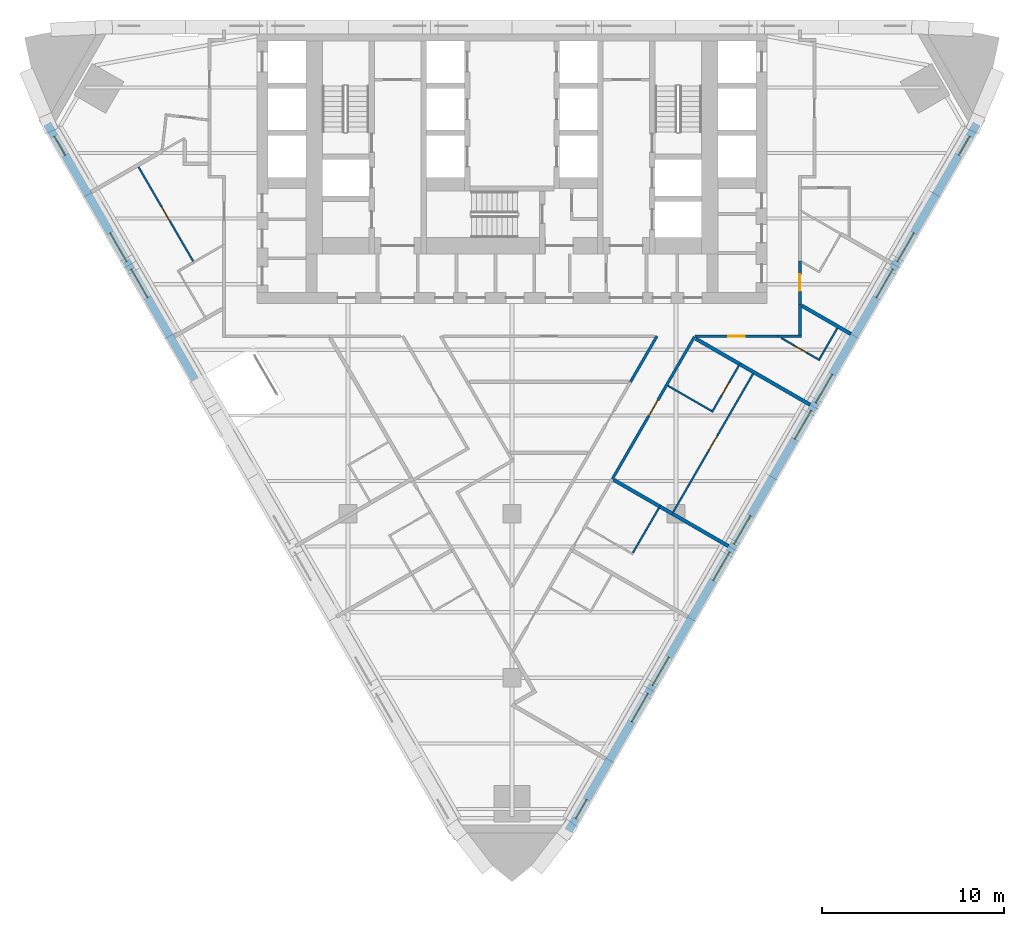
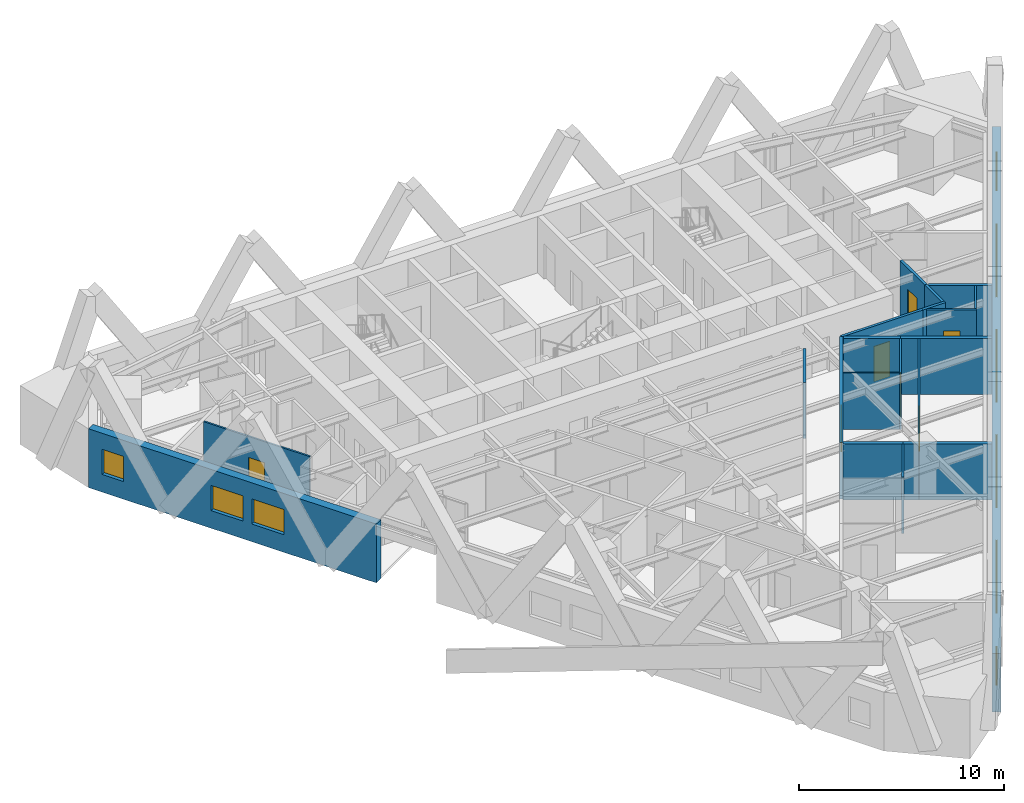
# One storey, part 6 of 12: 21 walls, 13 windows, 7 doors, 20 openings.
"""IFC4 building model written with IfcOpenShell, lengths in metres."""

import ifcopenshell
import ifcopenshell.guid

model = None  # the IFC model being written
_history = None  # IfcOwnerHistory: only IFC2X3 demands one
_inside = {}  # id of a spatial element -> (the spatial element, [elements in it])
_under = {}  # id of a project, library or spatial element -> (it, [spatial elements below it])
_declared = {}  # id of a project -> (the project, [libraries it declares])
_typed = {}  # id of a type object -> (the type object, [elements of that type])
_made_of = {}  # id of a material, layer set ... -> (it, [elements and type objects made of it])


def new_model(schema):
    """Start an empty IFC model of exactly this schema.

    Asked for "IFC4X3", IfcOpenShell would pick the latest addendum, in which some entities
    have other attributes; the version numbers below select the first issue.
    IFC2X3 requires an IfcOwnerHistory on every rooted entity: one is made here for all.
    """
    global model, _history
    if schema == "IFC4X3":
        model = ifcopenshell.file(schema_version=(4, 3, 0, 0))
    else:
        model = ifcopenshell.file(schema=schema)
    _inside.clear()
    _under.clear()
    _declared.clear()
    _typed.clear()
    _made_of.clear()
    _history = None
    if model.schema == "IFC2X3":
        org = make("IfcOrganization", Name="unknown")
        user = make(
            "IfcPersonAndOrganization",
            ThePerson=make("IfcPerson", FamilyName="unknown"),
            TheOrganization=org,
        )
        app = make(
            "IfcApplication",
            ApplicationDeveloper=org,
            Version="unknown",
            ApplicationFullName="unknown",
            ApplicationIdentifier="unknown",
        )
        _history = make(
            "IfcOwnerHistory",
            OwningUser=user,
            OwningApplication=app,
            ChangeAction="ADDED",
            CreationDate=0,
        )
    return model


def make(cls, **values):
    """One entity of the class cls with the attributes given. An attribute that is None is left unset."""
    return model.create_entity(
        cls, **{name: value for name, value in values.items() if value is not None}
    )


def rooted(cls, **values):
    """An entity with a GlobalId (a new one), such as an element, a storey or a relation."""
    return make(cls, GlobalId=ifcopenshell.guid.new(), OwnerHistory=_history, **values)


def si_unit(unit_type, name, prefix=None):
    """IfcSIUnit, for example si_unit("LENGTHUNIT", "METRE", prefix="MILLI")."""
    return make("IfcSIUnit", UnitType=unit_type, Prefix=prefix, Name=name)


def assignment(units):
    """IfcUnitAssignment: the units of a project."""
    return None if units is None else make("IfcUnitAssignment", Units=units)


def point(xyz):
    """IfcCartesianPoint."""
    return None if xyz is None else make("IfcCartesianPoint", Coordinates=xyz)


def direction(xyz):
    """IfcDirection."""
    return None if xyz is None else make("IfcDirection", DirectionRatios=xyz)


def frame(location, z_axis=None, x_axis=None):
    """IfcAxis2Placement3D, a coordinate frame: its origin and axes. An axis left out is left unset."""
    return make(
        "IfcAxis2Placement3D",
        Location=point(location),
        Axis=direction(z_axis),
        RefDirection=direction(x_axis),
    )


def frame_2d(location, x_axis=None):
    """IfcAxis2Placement2D, a coordinate frame in the plane: its origin and x axis."""
    return make(
        "IfcAxis2Placement2D", Location=point(location), RefDirection=direction(x_axis)
    )


def origin():
    """The frame at (0, 0, 0) with its axes left unset."""
    return frame((0.0, 0.0, 0.0))


def place(relative_to, where):
    """IfcLocalPlacement: puts the frame where relative to a parent placement (None: the world)."""
    return make(
        "IfcLocalPlacement", PlacementRelTo=relative_to, RelativePlacement=where
    )


def context(
    kind, dimensions, precision=None, world=None, true_north=None, identifier=None
):
    """IfcGeometricRepresentationContext, for example the 3D "Model" context."""
    return make(
        "IfcGeometricRepresentationContext",
        ContextIdentifier=identifier,
        ContextType=kind,
        CoordinateSpaceDimension=dimensions,
        Precision=precision,
        WorldCoordinateSystem=world,
        TrueNorth=true_north,
    )


def subcontext(parent, identifier, kind, view, scale=None):
    """IfcGeometricRepresentationSubContext, for example "Body" below "Model"."""
    return make(
        "IfcGeometricRepresentationSubContext",
        ContextIdentifier=identifier,
        ContextType=kind,
        ParentContext=parent,
        TargetScale=scale,
        TargetView=view,
    )


def project(units=None, contexts=None):
    """IfcProject with its units and contexts."""
    return rooted(
        "IfcProject",
        Name="project",
        RepresentationContexts=contexts,
        UnitsInContext=assignment(units),
    )


def spatial(cls, under=None, at=None, **own):
    """A site, building, storey or space (cls), placed at a placement, below another one or the project."""
    s = rooted(cls, ObjectPlacement=at, **own)
    if under is not None:
        _under.setdefault(under.id(), (under, []))[1].append(s)
    return s


def polyline(points):
    """IfcPolyline through the points."""
    return make("IfcPolyline", Points=[point(p) for p in points])


def profile(cls, at=None, kind="AREA", **sizes):
    """A parametric profile (cls). Its sizes go by their IFC names, for example OverallWidth=200.0."""
    return make(cls, ProfileType=kind, Position=at, **sizes)


def rectangle(**sizes):
    """IfcRectangleProfileDef."""
    return profile("IfcRectangleProfileDef", **sizes)


def outline(outer, holes=None, kind="AREA"):
    """IfcArbitraryClosedProfileDef: a profile drawn as a closed curve; with holes, ...WithVoids."""
    if holes is None:
        return make("IfcArbitraryClosedProfileDef", ProfileType=kind, OuterCurve=outer)
    return make(
        "IfcArbitraryProfileDefWithVoids",
        ProfileType=kind,
        OuterCurve=outer,
        InnerCurves=holes,
    )


def extrude(swept, where, along, depth):
    """IfcExtrudedAreaSolid: the profile swept, set in the frame where, extruded along a direction by depth."""
    return make(
        "IfcExtrudedAreaSolid",
        SweptArea=swept,
        Position=where,
        ExtrudedDirection=direction(along),
        Depth=depth,
    )


def shape(context_of_items, identifier, shape_type, items):
    """IfcShapeRepresentation: the items that make up one representation, for example the "Body"."""
    return make(
        "IfcShapeRepresentation",
        ContextOfItems=context_of_items,
        RepresentationIdentifier=identifier,
        RepresentationType=shape_type,
        Items=items,
    )


def material(Name=None, Category=None):
    """IfcMaterial."""
    return make("IfcMaterial", Name=Name, Category=Category)


def layer(
    of_material, thickness, ventilated=None, Name=None, Category=None, Priority=None
):
    """IfcMaterialLayer: one layer of a wall or slab, of a material (None: an air gap)."""
    return make(
        "IfcMaterialLayer",
        Material=of_material,
        LayerThickness=thickness,
        IsVentilated=ventilated,
        Name=Name,
        Category=Category,
        Priority=Priority,
    )


def layer_set(layers, Name=None):
    """IfcMaterialLayerSet."""
    return make("IfcMaterialLayerSet", MaterialLayers=layers, LayerSetName=Name)


def made_of(thing, what):
    """Note that an element or type object is made of a material, layer set ...; save() writes the relation."""
    if what is not None:
        _made_of.setdefault(what.id(), (what, []))[1].append(thing)
    return thing


def type_object(cls, material=None, **own):
    """A type object (cls), such as IfcWallType, which elements share."""
    return made_of(rooted(cls, **own), material)


def element(
    cls,
    number,
    at=None,
    inside=None,
    cuts=None,
    type_object=None,
    material=None,
    context=None,
    identifier="Body",
    shape_type=None,
    held_by="IfcProductDefinitionShape",
    body=None,
    shapes=None,
    **own,
):
    """One element of the class cls, such as IfcWall. Its Tag is "e" and its number.

    at: its placement. inside: the storey or other place that contains it. cuts: it is an
    opening in that element (IfcRelVoidsElement). A single representation is given by context,
    identifier, shape_type and body (its items); several are given by shapes. held_by: the class
    of the entity that holds the representations. save() writes the other relations.
    """
    e = rooted(cls, Tag="e%d" % number, ObjectPlacement=at, **own)
    if body is not None:
        shapes = [shape(context, identifier, shape_type, body)]
    if shapes is not None:
        e.Representation = make(held_by, Representations=shapes)
    if inside is not None:
        _inside.setdefault(inside.id(), (inside, []))[1].append(e)
    if cuts is not None:
        rooted(
            "IfcRelVoidsElement", RelatingBuildingElement=cuts, RelatedOpeningElement=e
        )
    if type_object is not None:
        _typed.setdefault(type_object.id(), (type_object, []))[1].append(e)
    return made_of(e, material)


def fill(opening, filler):
    """IfcRelFillsElement: the door or window that sits in an opening."""
    return rooted(
        "IfcRelFillsElement",
        RelatingOpeningElement=opening,
        RelatedBuildingElement=filler,
    )


def aggregate(whole, parts):
    """IfcRelAggregates: a whole, such as a stair, and the parts it consists of."""
    return rooted("IfcRelAggregates", RelatingObject=whole, RelatedObjects=parts)


def save(model, path):
    """Write the relations noted so far, then the file.

    IfcRelAggregates (storeys below a building ...), IfcRelContainedInSpatialStructure (elements
    in a storey), IfcRelDefinesByType, IfcRelAssociatesMaterial and IfcRelDeclares: one each for
    every whole, place, type object, material and project.
    """
    for whole, parts in _under.values():
        aggregate(whole, parts)
    for where, things in _inside.values():
        rooted(
            "IfcRelContainedInSpatialStructure",
            RelatedElements=things,
            RelatingStructure=where,
        )
    for kind, things in _typed.values():
        rooted("IfcRelDefinesByType", RelatedObjects=things, RelatingType=kind)
    for what, things in _made_of.values():
        rooted("IfcRelAssociatesMaterial", RelatedObjects=things, RelatingMaterial=what)
    for by, libraries in _declared.values():
        rooted("IfcRelDeclares", RelatingContext=by, RelatedDefinitions=libraries)
    model.write(path)


model = new_model("IFC4")

# Units and contexts
model_context = context("Model", 3, precision=1e-05, world=origin(), true_north=direction((0.0, 1.0)))
body_context = subcontext(model_context, "Body", "Model", "MODEL_VIEW")
ifc_project = project(units=[si_unit("LENGTHUNIT", "METRE"), si_unit("AREAUNIT", "SQUARE_METRE"), si_unit("VOLUMEUNIT", "CUBIC_METRE"), si_unit("PLANEANGLEUNIT", "RADIAN"), si_unit("MASSUNIT", "GRAM", prefix="KILO")], contexts=[model_context])

# Site, building, storey
site_placement = place(None, origin())
site = spatial("IfcSite", under=ifc_project, at=site_placement, CompositionType="ELEMENT")
building_placement = place(site_placement, origin())
building = spatial("IfcBuilding", under=site, at=building_placement, Name="Aloe Facet Convention Tower", CompositionType="ELEMENT")
storey_placement = place(building_placement, frame((0.0, 0.0, 56.0)))
storey = spatial("IfcBuildingStorey", under=building, at=storey_placement, Name="L12", CompositionType="ELEMENT", Elevation=56.0)

# Wall, openings, windows
ifc_material_1 = material(Name="Precast concrete C40/50", Category="concrete")
ifc_layer_1 = layer(ifc_material_1, 0.449951171875)
ifc_layer_set_1 = layer_set([ifc_layer_1], Name="EV-WALL-STONE")
wall_type_1 = type_object("IfcWallType", Name="EV-WALL-STONE", PredefinedType="SOLIDWALL", material=ifc_layer_set_1)
wall_1_placement = place(storey_placement, frame((54.494873046875, 129.396728515625, -0.14990234375), z_axis=(0.0, 0.0, 1.0), x_axis=(0.499995201193, -0.866028174359, 0.0)))
wall_1 = element("IfcWall", 1, at=wall_1_placement, inside=storey, type_object=wall_type_1, Name="EW-L12-W01", PredefinedType="SOLIDWALL", context=body_context, shape_type="SweptSolid", body=[
    extrude(outline(polyline([(0.0, 0.0), (0.0, 3.5), (16.219970703125, 3.5), (16.219970703125, 0.0), (0.0, 0.0)])), frame((0.0, 0.22509765625, 0.0), z_axis=(0.0, -1.0, 0.0), x_axis=(1.0, 0.0, 0.0)), (0.0, 0.0, 1.0), 0.449951171875),
])
opening_1_placement = place(wall_1_placement, frame((0.7861328125, 0.0, 1.050048828125)))
opening_1 = element("IfcOpeningElement", 2, at=opening_1_placement, cuts=wall_1, Name="Opening W-L12-W01", PredefinedType="OPENING", context=body_context, shape_type="SweptSolid", body=[
    extrude(rectangle(XDim=1.199951171875, YDim=1.5, at=frame_2d((0.60009765625, 0.75))), frame((0.0, 0.23486328125, 0.0), z_axis=(0.0, -1.0, 0.0), x_axis=(1.0, 0.0, 0.0)), (0.0, 0.0, 1.0), 0.469970703125),
])
opening_2_placement = place(wall_1_placement, frame((6.909912109375, 0.0, 1.050048828125)))
opening_2 = element("IfcOpeningElement", 3, at=opening_2_placement, cuts=wall_1, Name="Opening W-L12-W02", PredefinedType="OPENING", context=body_context, shape_type="SweptSolid", body=[
    extrude(rectangle(XDim=1.800048828125, YDim=1.5, at=frame_2d((0.89990234375, 0.75))), frame((0.0, 0.23486328125, 0.0), z_axis=(0.0, -1.0, 0.0), x_axis=(1.0, 0.0, 0.0)), (0.0, 0.0, 1.0), 0.469970703125),
])
opening_3_placement = place(wall_1_placement, frame((9.2099609375, 0.0, 1.050048828125)))
opening_3 = element("IfcOpeningElement", 4, at=opening_3_placement, cuts=wall_1, Name="Opening W-L12-W03", PredefinedType="OPENING", context=body_context, shape_type="SweptSolid", body=[
    extrude(rectangle(XDim=1.800048828125, YDim=1.5, at=frame_2d((0.89990234375, 0.75))), frame((0.0, 0.23486328125, 0.0), z_axis=(0.0, -1.0, 0.0), x_axis=(1.0, 0.0, 0.0)), (0.0, 0.0, 1.0), 0.469970703125),
])
ifc_material_2 = material(Name="Aluminium frame, clear double glazing", Category="aluminium")
window_type_1 = type_object("IfcWindowType", Name="EV-WIN-H12", PartitioningType="SINGLE_PANEL", PredefinedType="WINDOW", material=ifc_material_2)
window_1_placement = place(opening_1_placement, origin())
window_1 = element("IfcWindow", 5, at=window_1_placement, inside=storey, type_object=window_type_1, Name="W-L12-W01", OverallHeight=1.5, OverallWidth=1.199951171875, PartitioningType="SINGLE_PANEL", PredefinedType="WINDOW", context=body_context, shape_type="SweptSolid", body=[
    extrude(rectangle(XDim=1.199951171875, YDim=1.5, at=frame_2d((0.60009765625, 0.75))), frame((0.0, 0.030029296875, 0.0), z_axis=(0.0, -1.0, 0.0), x_axis=(1.0, 0.0, 0.0)), (0.0, 0.0, 1.0), 0.06005859375),
])
fill(opening_1, window_1)
ifc_material_3 = material(Name="Aluminium frame, clear double glazing", Category="aluminium")
window_type_2 = type_object("IfcWindowType", Name="EV-WIN-H18", PartitioningType="SINGLE_PANEL", PredefinedType="WINDOW", material=ifc_material_3)
window_2_placement = place(opening_2_placement, origin())
window_2 = element("IfcWindow", 6, at=window_2_placement, inside=storey, type_object=window_type_2, Name="W-L12-W02", OverallHeight=1.5, OverallWidth=1.800048828125, PartitioningType="SINGLE_PANEL", PredefinedType="WINDOW", context=body_context, shape_type="SweptSolid", body=[
    extrude(rectangle(XDim=1.800048828125, YDim=1.5, at=frame_2d((0.89990234375, 0.75))), frame((0.0, 0.030029296875, 0.0), z_axis=(0.0, -1.0, 0.0), x_axis=(1.0, 0.0, 0.0)), (0.0, 0.0, 1.0), 0.06005859375),
])
fill(opening_2, window_2)
window_3_placement = place(opening_3_placement, origin())
window_3 = element("IfcWindow", 7, at=window_3_placement, inside=storey, type_object=window_type_2, Name="W-L12-W03", OverallHeight=1.5, OverallWidth=1.800048828125, PartitioningType="SINGLE_PANEL", PredefinedType="WINDOW", context=body_context, shape_type="SweptSolid", body=[
    extrude(rectangle(XDim=1.800048828125, YDim=1.5, at=frame_2d((0.89990234375, 0.75))), frame((0.0, 0.030029296875, 0.0), z_axis=(0.0, -1.0, 0.0), x_axis=(1.0, 0.0, 0.0)), (0.0, 0.0, 1.0), 0.06005859375),
])
fill(opening_3, window_3)

wall_2_placement = place(storey_placement, frame((83.105224609375, 90.598876953125, -0.14990234375), z_axis=(0.0, 0.0, 1.0), x_axis=(0.499999201451, 0.866025864826, 0.0)))
wall_2 = element("IfcWall", 8, at=wall_2_placement, inside=storey, type_object=wall_type_1, Name="EW-L12-E01", PredefinedType="SOLIDWALL", context=body_context, shape_type="SweptSolid", body=[
    extrude(outline(polyline([(44.800048828125, 0.0), (44.800048828125, 3.5), (0.0, 3.5), (0.0, 0.0), (44.800048828125, 0.0)])), frame((0.0, 0.22509765625, 0.0), z_axis=(0.0, -1.0, 0.0), x_axis=(1.0, 0.0, 0.0)), (0.0, 0.0, 1.0), 0.449951171875),
])
opening_4_placement = place(wall_2_placement, frame((0.7861328125, 0.0, 1.050048828125)))
opening_4 = element("IfcOpeningElement", 9, at=opening_4_placement, cuts=wall_2, Name="Opening W-L12-E01", PredefinedType="OPENING", context=body_context, shape_type="SweptSolid", body=[
    extrude(rectangle(XDim=1.199951171875, YDim=1.5, at=frame_2d((0.60009765625, 0.75))), frame((0.0, 0.23486328125, 0.0), z_axis=(0.0, -1.0, 0.0), x_axis=(1.0, 0.0, 0.0)), (0.0, 0.0, 1.0), 0.469970703125),
])
opening_5_placement = place(wall_2_placement, frame((6.909912109375, 0.0, 1.050048828125)))
opening_5 = element("IfcOpeningElement", 10, at=opening_5_placement, cuts=wall_2, Name="Opening W-L12-E02", PredefinedType="OPENING", context=body_context, shape_type="SweptSolid", body=[
    extrude(rectangle(XDim=1.800048828125, YDim=1.5, at=frame_2d((0.89990234375, 0.75))), frame((0.0, 0.23486328125, 0.0), z_axis=(0.0, -1.0, 0.0), x_axis=(1.0, 0.0, 0.0)), (0.0, 0.0, 1.0), 0.469970703125),
])
opening_6_placement = place(wall_2_placement, frame((9.2099609375, 0.0, 1.050048828125)))
opening_6 = element("IfcOpeningElement", 11, at=opening_6_placement, cuts=wall_2, Name="Opening W-L12-E03", PredefinedType="OPENING", context=body_context, shape_type="SweptSolid", body=[
    extrude(rectangle(XDim=1.800048828125, YDim=1.5, at=frame_2d((0.89990234375, 0.75))), frame((0.0, 0.23486328125, 0.0), z_axis=(0.0, -1.0, 0.0), x_axis=(1.0, 0.0, 0.0)), (0.0, 0.0, 1.0), 0.469970703125),
])
opening_7_placement = place(wall_2_placement, frame((15.8701171875, 0.0, 1.050048828125)))
opening_7 = element("IfcOpeningElement", 12, at=opening_7_placement, cuts=wall_2, Name="Opening W-L12-E04", PredefinedType="OPENING", context=body_context, shape_type="SweptSolid", body=[
    extrude(rectangle(XDim=1.800048828125, YDim=1.5, at=frame_2d((0.89990234375, 0.75))), frame((0.0, 0.23486328125, 0.0), z_axis=(0.0, -1.0, 0.0), x_axis=(1.0, 0.0, 0.0)), (0.0, 0.0, 1.0), 0.469970703125),
])
opening_8_placement = place(wall_2_placement, frame((18.169921875, 0.0, 1.050048828125)))
opening_8 = element("IfcOpeningElement", 13, at=opening_8_placement, cuts=wall_2, Name="Opening W-L12-E05", PredefinedType="OPENING", context=body_context, shape_type="SweptSolid", body=[
    extrude(rectangle(XDim=1.800048828125, YDim=1.5, at=frame_2d((0.89990234375, 0.75))), frame((0.0, 0.23486328125, 0.0), z_axis=(0.0, -1.0, 0.0), x_axis=(1.0, 0.0, 0.0)), (0.0, 0.0, 1.0), 0.469970703125),
])
opening_9_placement = place(wall_2_placement, frame((24.830078125, 0.0, 1.050048828125)))
opening_9 = element("IfcOpeningElement", 14, at=opening_9_placement, cuts=wall_2, Name="Opening W-L12-E06", PredefinedType="OPENING", context=body_context, shape_type="SweptSolid", body=[
    extrude(rectangle(XDim=1.800048828125, YDim=1.5, at=frame_2d((0.89990234375, 0.75))), frame((0.0, 0.23486328125, 0.0), z_axis=(0.0, -1.0, 0.0), x_axis=(1.0, 0.0, 0.0)), (0.0, 0.0, 1.0), 0.469970703125),
])
opening_10_placement = place(wall_2_placement, frame((27.1298828125, 0.0, 1.050048828125)))
opening_10 = element("IfcOpeningElement", 15, at=opening_10_placement, cuts=wall_2, Name="Opening W-L12-E07", PredefinedType="OPENING", context=body_context, shape_type="SweptSolid", body=[
    extrude(rectangle(XDim=1.800048828125, YDim=1.5, at=frame_2d((0.89990234375, 0.75))), frame((0.0, 0.23486328125, 0.0), z_axis=(0.0, -1.0, 0.0), x_axis=(1.0, 0.0, 0.0)), (0.0, 0.0, 1.0), 0.469970703125),
])
opening_11_placement = place(wall_2_placement, frame((33.7900390625, 0.0, 1.050048828125)))
opening_11 = element("IfcOpeningElement", 16, at=opening_11_placement, cuts=wall_2, Name="Opening W-L12-E08", PredefinedType="OPENING", context=body_context, shape_type="SweptSolid", body=[
    extrude(rectangle(XDim=1.800048828125, YDim=1.5, at=frame_2d((0.89990234375, 0.75))), frame((0.0, 0.23486328125, 0.0), z_axis=(0.0, -1.0, 0.0), x_axis=(1.0, 0.0, 0.0)), (0.0, 0.0, 1.0), 0.469970703125),
])
opening_12_placement = place(wall_2_placement, frame((36.090087890625, 0.0, 1.050048828125)))
opening_12 = element("IfcOpeningElement", 17, at=opening_12_placement, cuts=wall_2, Name="Opening W-L12-E09", PredefinedType="OPENING", context=body_context, shape_type="SweptSolid", body=[
    extrude(rectangle(XDim=1.800048828125, YDim=1.5, at=frame_2d((0.89990234375, 0.75))), frame((0.0, 0.23486328125, 0.0), z_axis=(0.0, -1.0, 0.0), x_axis=(1.0, 0.0, 0.0)), (0.0, 0.0, 1.0), 0.469970703125),
])
opening_13_placement = place(wall_2_placement, frame((42.81396484375, 0.0, 1.050048828125)))
opening_13 = element("IfcOpeningElement", 18, at=opening_13_placement, cuts=wall_2, Name="Opening W-L12-E10", PredefinedType="OPENING", context=body_context, shape_type="SweptSolid", body=[
    extrude(rectangle(XDim=1.199951171875, YDim=1.5, at=frame_2d((0.60009765625, 0.75))), frame((0.0, 0.23486328125, 0.0), z_axis=(0.0, -1.0, 0.0), x_axis=(1.0, 0.0, 0.0)), (0.0, 0.0, 1.0), 0.469970703125),
])
window_4_placement = place(opening_4_placement, origin())
window_4 = element("IfcWindow", 19, at=window_4_placement, inside=storey, type_object=window_type_1, Name="W-L12-E01", OverallHeight=1.5, OverallWidth=1.199951171875, PartitioningType="SINGLE_PANEL", PredefinedType="WINDOW", context=body_context, shape_type="SweptSolid", body=[
    extrude(rectangle(XDim=1.199951171875, YDim=1.5, at=frame_2d((0.60009765625, 0.75))), frame((0.0, 0.030029296875, 0.0), z_axis=(0.0, -1.0, 0.0), x_axis=(1.0, 0.0, 0.0)), (0.0, 0.0, 1.0), 0.06005859375),
])
fill(opening_4, window_4)
window_5_placement = place(opening_13_placement, origin())
window_5 = element("IfcWindow", 20, at=window_5_placement, inside=storey, type_object=window_type_1, Name="W-L12-E10", OverallHeight=1.5, OverallWidth=1.199951171875, PartitioningType="SINGLE_PANEL", PredefinedType="WINDOW", context=body_context, shape_type="SweptSolid", body=[
    extrude(rectangle(XDim=1.199951171875, YDim=1.5, at=frame_2d((0.60009765625, 0.75))), frame((0.0, 0.030029296875, 0.0), z_axis=(0.0, -1.0, 0.0), x_axis=(1.0, 0.0, 0.0)), (0.0, 0.0, 1.0), 0.06005859375),
])
fill(opening_13, window_5)
window_6_placement = place(opening_5_placement, origin())
window_6 = element("IfcWindow", 21, at=window_6_placement, inside=storey, type_object=window_type_2, Name="W-L12-E02", OverallHeight=1.5, OverallWidth=1.800048828125, PartitioningType="SINGLE_PANEL", PredefinedType="WINDOW", context=body_context, shape_type="SweptSolid", body=[
    extrude(rectangle(XDim=1.800048828125, YDim=1.5, at=frame_2d((0.89990234375, 0.75))), frame((0.0, 0.030029296875, 0.0), z_axis=(0.0, -1.0, 0.0), x_axis=(1.0, 0.0, 0.0)), (0.0, 0.0, 1.0), 0.06005859375),
])
fill(opening_5, window_6)
window_7_placement = place(opening_6_placement, origin())
window_7 = element("IfcWindow", 22, at=window_7_placement, inside=storey, type_object=window_type_2, Name="W-L12-E03", OverallHeight=1.5, OverallWidth=1.800048828125, PartitioningType="SINGLE_PANEL", PredefinedType="WINDOW", context=body_context, shape_type="SweptSolid", body=[
    extrude(rectangle(XDim=1.800048828125, YDim=1.5, at=frame_2d((0.89990234375, 0.75))), frame((0.0, 0.030029296875, 0.0), z_axis=(0.0, -1.0, 0.0), x_axis=(1.0, 0.0, 0.0)), (0.0, 0.0, 1.0), 0.06005859375),
])
fill(opening_6, window_7)
window_8_placement = place(opening_7_placement, origin())
window_8 = element("IfcWindow", 23, at=window_8_placement, inside=storey, type_object=window_type_2, Name="W-L12-E04", OverallHeight=1.5, OverallWidth=1.800048828125, PartitioningType="SINGLE_PANEL", PredefinedType="WINDOW", context=body_context, shape_type="SweptSolid", body=[
    extrude(rectangle(XDim=1.800048828125, YDim=1.5, at=frame_2d((0.89990234375, 0.75))), frame((0.0, 0.030029296875, 0.0), z_axis=(0.0, -1.0, 0.0), x_axis=(1.0, 0.0, 0.0)), (0.0, 0.0, 1.0), 0.06005859375),
])
fill(opening_7, window_8)
window_9_placement = place(opening_8_placement, origin())
window_9 = element("IfcWindow", 24, at=window_9_placement, inside=storey, type_object=window_type_2, Name="W-L12-E05", OverallHeight=1.5, OverallWidth=1.800048828125, PartitioningType="SINGLE_PANEL", PredefinedType="WINDOW", context=body_context, shape_type="SweptSolid", body=[
    extrude(rectangle(XDim=1.800048828125, YDim=1.5, at=frame_2d((0.89990234375, 0.75))), frame((0.0, 0.030029296875, 0.0), z_axis=(0.0, -1.0, 0.0), x_axis=(1.0, 0.0, 0.0)), (0.0, 0.0, 1.0), 0.06005859375),
])
fill(opening_8, window_9)
window_10_placement = place(opening_9_placement, origin())
window_10 = element("IfcWindow", 25, at=window_10_placement, inside=storey, type_object=window_type_2, Name="W-L12-E06", OverallHeight=1.5, OverallWidth=1.800048828125, PartitioningType="SINGLE_PANEL", PredefinedType="WINDOW", context=body_context, shape_type="SweptSolid", body=[
    extrude(rectangle(XDim=1.800048828125, YDim=1.5, at=frame_2d((0.89990234375, 0.75))), frame((0.0, 0.030029296875, 0.0), z_axis=(0.0, -1.0, 0.0), x_axis=(1.0, 0.0, 0.0)), (0.0, 0.0, 1.0), 0.06005859375),
])
fill(opening_9, window_10)
window_11_placement = place(opening_10_placement, origin())
window_11 = element("IfcWindow", 26, at=window_11_placement, inside=storey, type_object=window_type_2, Name="W-L12-E07", OverallHeight=1.5, OverallWidth=1.800048828125, PartitioningType="SINGLE_PANEL", PredefinedType="WINDOW", context=body_context, shape_type="SweptSolid", body=[
    extrude(rectangle(XDim=1.800048828125, YDim=1.5, at=frame_2d((0.89990234375, 0.75))), frame((0.0, 0.030029296875, 0.0), z_axis=(0.0, -1.0, 0.0), x_axis=(1.0, 0.0, 0.0)), (0.0, 0.0, 1.0), 0.06005859375),
])
fill(opening_10, window_11)
window_12_placement = place(opening_11_placement, origin())
window_12 = element("IfcWindow", 27, at=window_12_placement, inside=storey, type_object=window_type_2, Name="W-L12-E08", OverallHeight=1.5, OverallWidth=1.800048828125, PartitioningType="SINGLE_PANEL", PredefinedType="WINDOW", context=body_context, shape_type="SweptSolid", body=[
    extrude(rectangle(XDim=1.800048828125, YDim=1.5, at=frame_2d((0.89990234375, 0.75))), frame((0.0, 0.030029296875, 0.0), z_axis=(0.0, -1.0, 0.0), x_axis=(1.0, 0.0, 0.0)), (0.0, 0.0, 1.0), 0.06005859375),
])
fill(opening_11, window_12)
window_13_placement = place(opening_12_placement, origin())
window_13 = element("IfcWindow", 28, at=window_13_placement, inside=storey, type_object=window_type_2, Name="W-L12-E09", OverallHeight=1.5, OverallWidth=1.800048828125, PartitioningType="SINGLE_PANEL", PredefinedType="WINDOW", context=body_context, shape_type="SweptSolid", body=[
    extrude(rectangle(XDim=1.800048828125, YDim=1.5, at=frame_2d((0.89990234375, 0.75))), frame((0.0, 0.030029296875, 0.0), z_axis=(0.0, -1.0, 0.0), x_axis=(1.0, 0.0, 0.0)), (0.0, 0.0, 1.0), 0.06005859375),
])
fill(opening_12, window_13)

# Wall, opening, door
ifc_material_4 = material(Name="Gypsum board partition on steel studs", Category="steel")
ifc_layer_2 = layer(ifc_material_4, 0.14990234375)
ifc_layer_set_2 = layer_set([ifc_layer_2], Name="IN-W-CORR")
wall_type_2 = type_object("IfcWallType", Name="IN-W-CORR", PredefinedType="PARTITIONING", material=ifc_layer_set_2)
wall_3_placement = place(storey_placement, frame((85.5048828125, 109.905517578125, 0.0), z_axis=(0.0, 0.0, 1.0), x_axis=(0.500017993482, 0.866015014994, 0.0)))
wall_3 = element("IfcWall", 29, at=wall_3_placement, inside=storey, type_object=wall_type_2, Name="Partition L12-W037", PredefinedType="PARTITIONING", context=body_context, shape_type="SweptSolid", body=[
    extrude(rectangle(XDim=9.010009765625, YDim=0.14990234375, at=frame_2d((4.5048828125, 0.0))), origin(), (0.0, 0.0, 1.0), 3.35009765625),
])
opening_14_placement = place(wall_3_placement, frame((4.0048828125, 0.0, 0.0)))
opening_14 = element("IfcOpeningElement", 30, at=opening_14_placement, cuts=wall_3, Name="Opening L12-015", PredefinedType="OPENING", context=body_context, shape_type="SweptSolid", body=[
    extrude(rectangle(XDim=1.0, YDim=2.10009765625, at=frame_2d((0.5, 1.050048828125))), frame((0.0, 0.0849609375, 0.0), z_axis=(0.0, -1.0, 0.0), x_axis=(1.0, 0.0, 0.0)), (0.0, 0.0, 1.0), 0.169921875),
])
ifc_material_5 = material(Name="Hardwood flush door FD30S", Category="wood")
door_type_1 = type_object("IfcDoorType", Name="IN-D-WIDE", OperationType="SINGLE_SWING_LEFT", PredefinedType="DOOR", material=ifc_material_5)
door_1_placement = place(opening_14_placement, origin())
door_1 = element("IfcDoor", 31, at=door_1_placement, inside=storey, type_object=door_type_1, Name="Door L12-015", OperationType="SINGLE_SWING_LEFT", OverallHeight=2.10009765625, OverallWidth=1.0, PredefinedType="DOOR", context=body_context, shape_type="SweptSolid", body=[
    extrude(rectangle(XDim=1.0, YDim=2.10009765625, at=frame_2d((0.5, 1.050048828125))), frame((0.0, 0.02490234375, 0.0), z_axis=(0.0, -1.0, 0.0), x_axis=(1.0, 0.0, 0.0)), (0.0, 0.0, 1.0), 0.050048828125),
])
fill(opening_14, door_1)

# Walls
wall_4_placement = place(storey_placement, frame((86.50634765625, 115.239990234375, 0.0), z_axis=(0.0, 0.0, 1.0), x_axis=(0.500016544581, 0.866015851556, 0.0)))
element("IfcWall", 32, at=wall_4_placement, inside=storey, type_object=wall_type_2, Name="Partition L12-W054", PredefinedType="PARTITIONING", context=body_context, shape_type="SweptSolid", body=[
    extrude(rectangle(XDim=2.8984375, YDim=0.14990234375, at=frame_2d((1.44921875, 0.0))), origin(), (0.0, 0.0, 1.0), 3.35009765625),
])
wall_5_placement = place(storey_placement, frame((94.597900390625, 117.75, 0.0), z_axis=(0.0, 0.0, 1.0), x_axis=(1.0, 0.0, 0.0)))
element("IfcWall", 33, at=wall_5_placement, inside=storey, type_object=wall_type_2, Name="Partition L12-W069", PredefinedType="PARTITIONING", context=body_context, shape_type="SweptSolid", body=[
    extrude(rectangle(XDim=1.277099609375, YDim=0.14990234375, at=frame_2d((0.638671875, 0.0))), origin(), (0.0, 0.0, 1.0), 3.35009765625),
])

# Wall, opening, door
wall_6_placement = place(storey_placement, frame((90.033935546875, 117.75, 0.0), z_axis=(0.0, 0.0, 1.0), x_axis=(1.0, 0.0, 0.0)))
wall_6 = element("IfcWall", 34, at=wall_6_placement, inside=storey, type_object=wall_type_2, Name="Partition L12-W070", PredefinedType="PARTITIONING", context=body_context, shape_type="SweptSolid", body=[
    extrude(rectangle(XDim=4.56396484375, YDim=0.14990234375, at=frame_2d((2.281982421875, 0.0))), origin(), (0.0, 0.0, 1.0), 3.35009765625),
])
opening_15_placement = place(wall_6_placement, frame((1.83203125, 0.0, 0.0)))
opening_15 = element("IfcOpeningElement", 35, at=opening_15_placement, cuts=wall_6, Name="Opening L12-008", PredefinedType="OPENING", context=body_context, shape_type="SweptSolid", body=[
    extrude(rectangle(XDim=0.89990234375, YDim=2.10009765625, at=frame_2d((0.449951171875, 1.050048828125))), frame((0.0, 0.0849609375, 0.0), z_axis=(0.0, -1.0, 0.0), x_axis=(1.0, 0.0, 0.0)), (0.0, 0.0, 1.0), 0.169921875),
])
ifc_material_6 = material(Name="Hardwood flush door FD30S", Category="wood")
door_type_2 = type_object("IfcDoorType", Name="IN-D-GUEST", OperationType="SINGLE_SWING_LEFT", PredefinedType="DOOR", material=ifc_material_6)
door_2_placement = place(opening_15_placement, origin())
door_2 = element("IfcDoor", 36, at=door_2_placement, inside=storey, type_object=door_type_2, Name="Door L12-008", OperationType="SINGLE_SWING_LEFT", OverallHeight=2.10009765625, OverallWidth=0.89990234375, PredefinedType="DOOR", context=body_context, shape_type="SweptSolid", body=[
    extrude(rectangle(XDim=0.89990234375, YDim=2.10009765625, at=frame_2d((0.449951171875, 1.050048828125))), frame((0.0, 0.02490234375, 0.0), z_axis=(0.0, -1.0, 0.0), x_axis=(1.0, 0.0, 0.0)), (0.0, 0.0, 1.0), 0.050048828125),
])
fill(opening_15, door_2)

# Wall
wall_7_placement = place(storey_placement, frame((95.800048828125, 117.824951171875, 0.0), z_axis=(0.0, 0.0, 1.0), x_axis=(0.0, 1.0, 0.0)))
element("IfcWall", 37, at=wall_7_placement, inside=storey, type_object=wall_type_2, Name="Partition L12-W071", PredefinedType="PARTITIONING", context=body_context, shape_type="SweptSolid", body=[
    extrude(rectangle(XDim=1.65576171875, YDim=0.14990234375, at=frame_2d((0.827880859375, 0.0))), origin(), (0.0, 0.0, 1.0), 3.35009765625),
])

# Wall, opening, door
wall_8_placement = place(storey_placement, frame((95.800048828125, 119.480712890625, 0.0), z_axis=(0.0, 0.0, 1.0), x_axis=(0.0, 1.0, 0.0)))
wall_8 = element("IfcWall", 38, at=wall_8_placement, inside=storey, type_object=wall_type_2, Name="Partition L12-W082", PredefinedType="PARTITIONING", context=body_context, shape_type="SweptSolid", body=[
    extrude(rectangle(XDim=2.40185546875, YDim=0.14990234375, at=frame_2d((1.200927734375, 0.0))), origin(), (0.0, 0.0, 1.0), 3.35009765625),
])
opening_16_placement = place(wall_8_placement, frame((0.7509765625, 0.0, 0.0)))
opening_16 = element("IfcOpeningElement", 39, at=opening_16_placement, cuts=wall_8, Name="Opening L12-009", PredefinedType="OPENING", context=body_context, shape_type="SweptSolid", body=[
    extrude(rectangle(XDim=0.89990234375, YDim=2.10009765625, at=frame_2d((0.449951171875, 1.050048828125))), frame((0.0, 0.0849609375, 0.0), z_axis=(0.0, -1.0, 0.0), x_axis=(1.0, 0.0, 0.0)), (0.0, 0.0, 1.0), 0.169921875),
])
door_3_placement = place(opening_16_placement, origin())
door_3 = element("IfcDoor", 40, at=door_3_placement, inside=storey, type_object=door_type_2, Name="Door L12-009", OperationType="SINGLE_SWING_LEFT", OverallHeight=2.10009765625, OverallWidth=0.89990234375, PredefinedType="DOOR", context=body_context, shape_type="SweptSolid", body=[
    extrude(rectangle(XDim=0.89990234375, YDim=2.10009765625, at=frame_2d((0.449951171875, 1.050048828125))), frame((0.0, 0.02490234375, 0.0), z_axis=(0.0, -1.0, 0.0), x_axis=(1.0, 0.0, 0.0)), (0.0, 0.0, 1.0), 0.050048828125),
])
fill(opening_16, door_3)

# Wall
ifc_material_7 = material(Name="Gypsum board partition on steel studs", Category="steel")
ifc_layer_3 = layer(ifc_material_7, 0.10009765625)
ifc_layer_set_3 = layer_set([ifc_layer_3], Name="IN-W-PART")
wall_type_3 = type_object("IfcWallType", Name="IN-W-PART", PredefinedType="PARTITIONING", material=ifc_layer_set_3)
wall_9_placement = place(storey_placement, frame((86.63330078125, 105.859375, 0.0), z_axis=(0.0, 0.0, 1.0), x_axis=(0.502878343763, 0.864357201263, 0.0)))
element("IfcWall", 41, at=wall_9_placement, inside=storey, type_object=wall_type_3, Name="Partition L12-W029", PredefinedType="PARTITIONING", context=body_context, shape_type="SweptSolid", body=[
    extrude(rectangle(XDim=2.829833984375, YDim=0.10009765625, at=frame_2d((1.4150390625, 0.0))), origin(), (0.0, 0.0, 1.0), 3.35009765625),
])

# Wall, opening, door
wall_10_placement = place(storey_placement, frame((90.971435546875, 113.57373046875, 0.0), z_axis=(0.0, 0.0, 1.0), x_axis=(0.499988418424, 0.866032090307, 0.0)))
wall_10 = element("IfcWall", 42, at=wall_10_placement, inside=storey, type_object=wall_type_3, Name="Partition L12-W047", PredefinedType="PARTITIONING", context=body_context, shape_type="SweptSolid", body=[
    extrude(rectangle(XDim=2.93994140625, YDim=0.10009765625, at=frame_2d((1.469970703125, 0.0))), origin(), (0.0, 0.0, 1.0), 3.35009765625),
])
opening_17_placement = place(wall_10_placement, frame((1.070068359375, 0.0, 0.0)))
opening_17 = element("IfcOpeningElement", 43, at=opening_17_placement, cuts=wall_10, Name="Opening L12-025", PredefinedType="OPENING", context=body_context, shape_type="SweptSolid", body=[
    extrude(rectangle(XDim=0.800048828125, YDim=2.10009765625, at=frame_2d((0.39990234375, 1.050048828125))), frame((0.0, 0.06005859375, 0.0), z_axis=(0.0, -1.0, 0.0), x_axis=(1.0, 0.0, 0.0)), (0.0, 0.0, 1.0), 0.1201171875),
])
ifc_material_8 = material(Name="Timber flush door", Category="wood")
door_type_3 = type_object("IfcDoorType", Name="IN-D-BATH", OperationType="SINGLE_SWING_LEFT", PredefinedType="DOOR", material=ifc_material_8)
door_4_placement = place(opening_17_placement, origin())
door_4 = element("IfcDoor", 44, at=door_4_placement, inside=storey, type_object=door_type_3, Name="Door L12-025", OperationType="SINGLE_SWING_LEFT", OverallHeight=2.10009765625, OverallWidth=0.800048828125, PredefinedType="DOOR", context=body_context, shape_type="SweptSolid", body=[
    extrude(rectangle(XDim=0.800048828125, YDim=2.10009765625, at=frame_2d((0.39990234375, 1.050048828125))), frame((0.0, 0.02490234375, 0.0), z_axis=(0.0, -1.0, 0.0), x_axis=(1.0, 0.0, 0.0)), (0.0, 0.0, 1.0), 0.050048828125),
])
fill(opening_17, door_4)

# Wall
wall_11_placement = place(storey_placement, frame((88.550048828125, 115.029541015625, 0.0), z_axis=(0.0, 0.0, 1.0), x_axis=(0.866012076814, -0.50002308228, 0.0)))
element("IfcWall", 45, at=wall_11_placement, inside=storey, type_object=wall_type_3, Name="Partition L12-W050", PredefinedType="PARTITIONING", context=body_context, shape_type="SweptSolid", body=[
    extrude(rectangle(XDim=2.764892578125, YDim=0.10009765625, at=frame_2d((1.38232421875, 0.0))), origin(), (0.0, 0.0, 1.0), 3.35009765625),
])

# Wall, opening, door
wall_12_placement = place(storey_placement, frame((88.850830078125, 108.100830078125, 0.0), z_axis=(0.0, 0.0, 1.0), x_axis=(0.500004234368, 0.866022959057, 0.0)))
wall_12 = element("IfcWall", 46, at=wall_12_placement, inside=storey, type_object=wall_type_3, Name="Partition L12-W055", PredefinedType="PARTITIONING", context=body_context, shape_type="SweptSolid", body=[
    extrude(rectangle(XDim=8.75, YDim=0.10009765625, at=frame_2d((4.375, 0.0))), origin(), (0.0, 0.0, 1.0), 3.35009765625),
])
opening_18_placement = place(wall_12_placement, frame((3.925048828125, 0.0, 0.0)))
opening_18 = element("IfcOpeningElement", 47, at=opening_18_placement, cuts=wall_12, Name="Opening L12-026", PredefinedType="OPENING", context=body_context, shape_type="SweptSolid", body=[
    extrude(rectangle(XDim=0.89990234375, YDim=2.10009765625, at=frame_2d((0.449951171875, 1.050048828125))), frame((0.0, 0.06005859375, 0.0), z_axis=(0.0, -1.0, 0.0), x_axis=(1.0, 0.0, 0.0)), (0.0, 0.0, 1.0), 0.1201171875),
])
ifc_material_9 = material(Name="Timber flush door", Category="wood")
door_type_4 = type_object("IfcDoorType", Name="IN-D-INT", OperationType="SINGLE_SWING_LEFT", PredefinedType="DOOR", material=ifc_material_9)
door_5_placement = place(opening_18_placement, origin())
door_5 = element("IfcDoor", 48, at=door_5_placement, inside=storey, type_object=door_type_4, Name="Door L12-026", OperationType="SINGLE_SWING_LEFT", OverallHeight=2.10009765625, OverallWidth=0.89990234375, PredefinedType="DOOR", context=body_context, shape_type="SweptSolid", body=[
    extrude(rectangle(XDim=0.89990234375, YDim=2.10009765625, at=frame_2d((0.449951171875, 1.050048828125))), frame((0.0, 0.02490234375, 0.0), z_axis=(0.0, -1.0, 0.0), x_axis=(1.0, 0.0, 0.0)), (0.0, 0.0, 1.0), 0.050048828125),
])
fill(opening_18, door_5)

wall_13_placement = place(storey_placement, frame((94.775390625, 117.6474609375, 0.0), z_axis=(0.0, 0.0, 1.0), x_axis=(0.86604092097, -0.499973122483, 0.0)))
wall_13 = element("IfcWall", 49, at=wall_13_placement, inside=storey, type_object=wall_type_3, Name="Partition L12-W058", PredefinedType="PARTITIONING", context=body_context, shape_type="SweptSolid", body=[
    extrude(rectangle(XDim=2.445068359375, YDim=0.10009765625, at=frame_2d((1.22265625, 0.0))), origin(), (0.0, 0.0, 1.0), 3.35009765625),
])
opening_19_placement = place(wall_13_placement, frame((0.822509765625, 0.0, 0.0)))
opening_19 = element("IfcOpeningElement", 50, at=opening_19_placement, cuts=wall_13, Name="Opening L12-027", PredefinedType="OPENING", context=body_context, shape_type="SweptSolid", body=[
    extrude(rectangle(XDim=0.800048828125, YDim=2.10009765625, at=frame_2d((0.39990234375, 1.050048828125))), frame((0.0, 0.06005859375, 0.0), z_axis=(0.0, -1.0, 0.0), x_axis=(1.0, 0.0, 0.0)), (0.0, 0.0, 1.0), 0.1201171875),
])
door_6_placement = place(opening_19_placement, origin())
door_6 = element("IfcDoor", 51, at=door_6_placement, inside=storey, type_object=door_type_3, Name="Door L12-027", OperationType="SINGLE_SWING_LEFT", OverallHeight=2.10009765625, OverallWidth=0.800048828125, PredefinedType="DOOR", context=body_context, shape_type="SweptSolid", body=[
    extrude(rectangle(XDim=0.800048828125, YDim=2.10009765625, at=frame_2d((0.39990234375, 1.050048828125))), frame((0.0, 0.02490234375, 0.0), z_axis=(0.0, -1.0, 0.0), x_axis=(1.0, 0.0, 0.0)), (0.0, 0.0, 1.0), 0.050048828125),
])
fill(opening_19, door_6)

# Wall
wall_14_placement = place(storey_placement, frame((96.87451171875, 116.493408203125, 0.0), z_axis=(0.0, 0.0, 1.0), x_axis=(0.500043961785, 0.866000020948, 0.0)))
element("IfcWall", 52, at=wall_14_placement, inside=storey, type_object=wall_type_3, Name="Partition L12-W073", PredefinedType="PARTITIONING", context=body_context, shape_type="SweptSolid", body=[
    extrude(rectangle(XDim=1.949951171875, YDim=0.10009765625, at=frame_2d((0.97509765625, 0.0))), origin(), (0.0, 0.0, 1.0), 3.35009765625),
])

# Wall, opening, door
wall_15_placement = place(storey_placement, frame((59.507568359375, 127.027587890625, 0.0), z_axis=(0.0, 0.0, 1.0), x_axis=(0.501422739792, -0.865202424881, 0.0)))
wall_15 = element("IfcWall", 53, at=wall_15_placement, inside=storey, type_object=wall_type_3, Name="Partition L12-W080", PredefinedType="PARTITIONING", context=body_context, shape_type="SweptSolid", body=[
    extrude(rectangle(XDim=5.9755859375, YDim=0.10009765625, at=frame_2d((2.98779296875, 0.0))), origin(), (0.0, 0.0, 1.0), 3.35009765625),
])
opening_20_placement = place(wall_15_placement, frame((2.537841796875, 0.0, 0.0)))
opening_20 = element("IfcOpeningElement", 54, at=opening_20_placement, cuts=wall_15, Name="Opening L12-019", PredefinedType="OPENING", context=body_context, shape_type="SweptSolid", body=[
    extrude(rectangle(XDim=0.89990234375, YDim=2.10009765625, at=frame_2d((0.449951171875, 1.050048828125))), frame((0.0, 0.06005859375, 0.0), z_axis=(0.0, -1.0, 0.0), x_axis=(1.0, 0.0, 0.0)), (0.0, 0.0, 1.0), 0.1201171875),
])
door_7_placement = place(opening_20_placement, origin())
door_7 = element("IfcDoor", 55, at=door_7_placement, inside=storey, type_object=door_type_4, Name="Door L12-019", OperationType="SINGLE_SWING_LEFT", OverallHeight=2.10009765625, OverallWidth=0.89990234375, PredefinedType="DOOR", context=body_context, shape_type="SweptSolid", body=[
    extrude(rectangle(XDim=0.89990234375, YDim=2.10009765625, at=frame_2d((0.449951171875, 1.050048828125))), frame((0.0, 0.02490234375, 0.0), z_axis=(0.0, -1.0, 0.0), x_axis=(1.0, 0.0, 0.0)), (0.0, 0.0, 1.0), 0.050048828125),
])
fill(opening_20, door_7)

# Walls
ifc_material_10 = material(Name="Gypsum board partition on steel studs", Category="steel")
ifc_layer_4 = layer(ifc_material_10, 0.199951171875)
ifc_layer_set_4 = layer_set([ifc_layer_4], Name="IN-W-PARTY")
wall_type_4 = type_object("IfcWallType", Name="IN-W-PARTY", PredefinedType="PARTITIONING", material=ifc_layer_set_4)
wall_16_placement = place(storey_placement, frame((88.7958984375, 108.00537109375, 0.0), z_axis=(0.0, 0.0, 1.0), x_axis=(0.8660424351, -0.499970499736, 0.0)))
element("IfcWall", 56, at=wall_16_placement, inside=storey, type_object=wall_type_4, Name="Partition L12-W021", PredefinedType="PARTITIONING", context=body_context, shape_type="SweptSolid", body=[
    extrude(rectangle(XDim=3.550048828125, YDim=0.199951171875, at=frame_2d((1.77490234375, 0.0))), origin(), (0.0, 0.0, 1.0), 3.35009765625),
])
wall_17_placement = place(storey_placement, frame((88.11181640625, 108.400390625, 0.0), z_axis=(0.0, 0.0, 1.0), x_axis=(0.865989998118, -0.500061319399, 0.0)))
element("IfcWall", 57, at=wall_17_placement, inside=storey, type_object=wall_type_4, Name="Partition L12-W025", PredefinedType="PARTITIONING", context=body_context, shape_type="SweptSolid", body=[
    extrude(rectangle(XDim=0.7900390625, YDim=0.199951171875, at=frame_2d((0.39501953125, 0.0))), origin(), (0.0, 0.0, 1.0), 3.35009765625),
])
wall_18_placement = place(storey_placement, frame((85.57861328125, 109.863037109375, 0.0), z_axis=(0.0, 0.0, 1.0), x_axis=(0.86601045545, -0.500025890382, 0.0)))
element("IfcWall", 58, at=wall_18_placement, inside=storey, type_object=wall_type_4, Name="Partition L12-W028", PredefinedType="PARTITIONING", context=body_context, shape_type="SweptSolid", body=[
    extrude(rectangle(XDim=2.925048828125, YDim=0.199951171875, at=frame_2d((1.46240234375, 0.0))), origin(), (0.0, 0.0, 1.0), 3.35009765625),
])
wall_19_placement = place(storey_placement, frame((92.49658203125, 116.215087890625, 0.0), z_axis=(0.0, 0.0, 1.0), x_axis=(0.866012907634, -0.500021643343, 0.0)))
element("IfcWall", 59, at=wall_19_placement, inside=storey, type_object=wall_type_4, Name="Partition L12-W048", PredefinedType="PARTITIONING", context=body_context, shape_type="SweptSolid", body=[
    extrude(rectangle(XDim=4.449951171875, YDim=0.199951171875, at=frame_2d((2.22509765625, 0.0))), origin(), (0.0, 0.0, 1.0), 3.35009765625),
])
wall_20_placement = place(storey_placement, frame((90.084716796875, 117.607666015625, 0.0), z_axis=(0.0, 0.0, 1.0), x_axis=(0.866011863948, -0.500023450952, 0.0)))
element("IfcWall", 60, at=wall_20_placement, inside=storey, type_object=wall_type_4, Name="Partition L12-W061", PredefinedType="PARTITIONING", context=body_context, shape_type="SweptSolid", body=[
    extrude(rectangle(XDim=2.784912109375, YDim=0.199951171875, at=frame_2d((1.392578125, 0.0))), origin(), (0.0, 0.0, 1.0), 3.35009765625),
])
wall_21_placement = place(storey_placement, frame((95.908203125, 119.418212890625, 0.0), z_axis=(0.0, 0.0, 1.0), x_axis=(0.866051688794, -0.499954470265, 0.0)))
element("IfcWall", 61, at=wall_21_placement, inside=storey, type_object=wall_type_4, Name="Partition L12-W072", PredefinedType="PARTITIONING", context=body_context, shape_type="SweptSolid", body=[
    extrude(rectangle(XDim=3.096923828125, YDim=0.199951171875, at=frame_2d((1.54833984375, 0.0))), origin(), (0.0, 0.0, 1.0), 3.35009765625),
])

save(model, "model.ifc")
